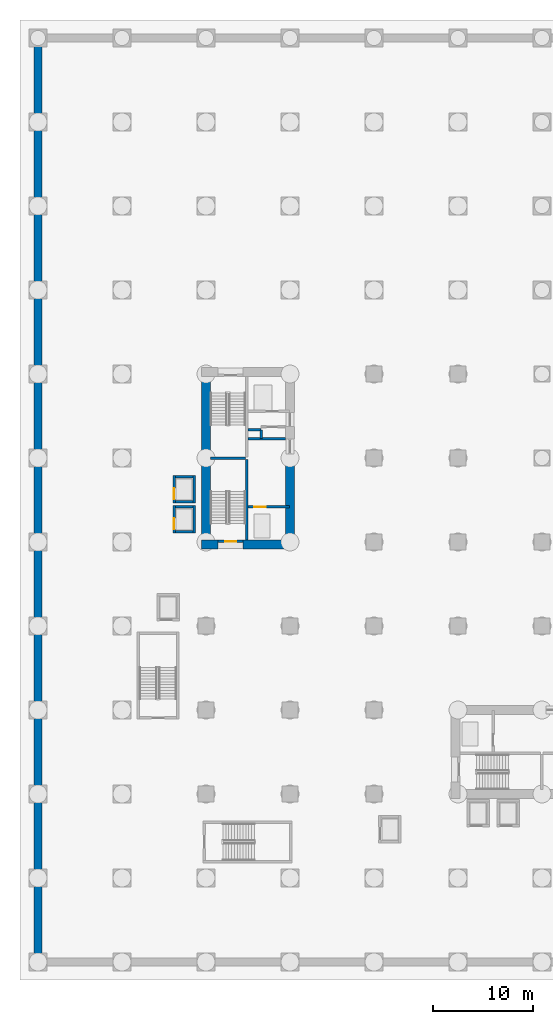
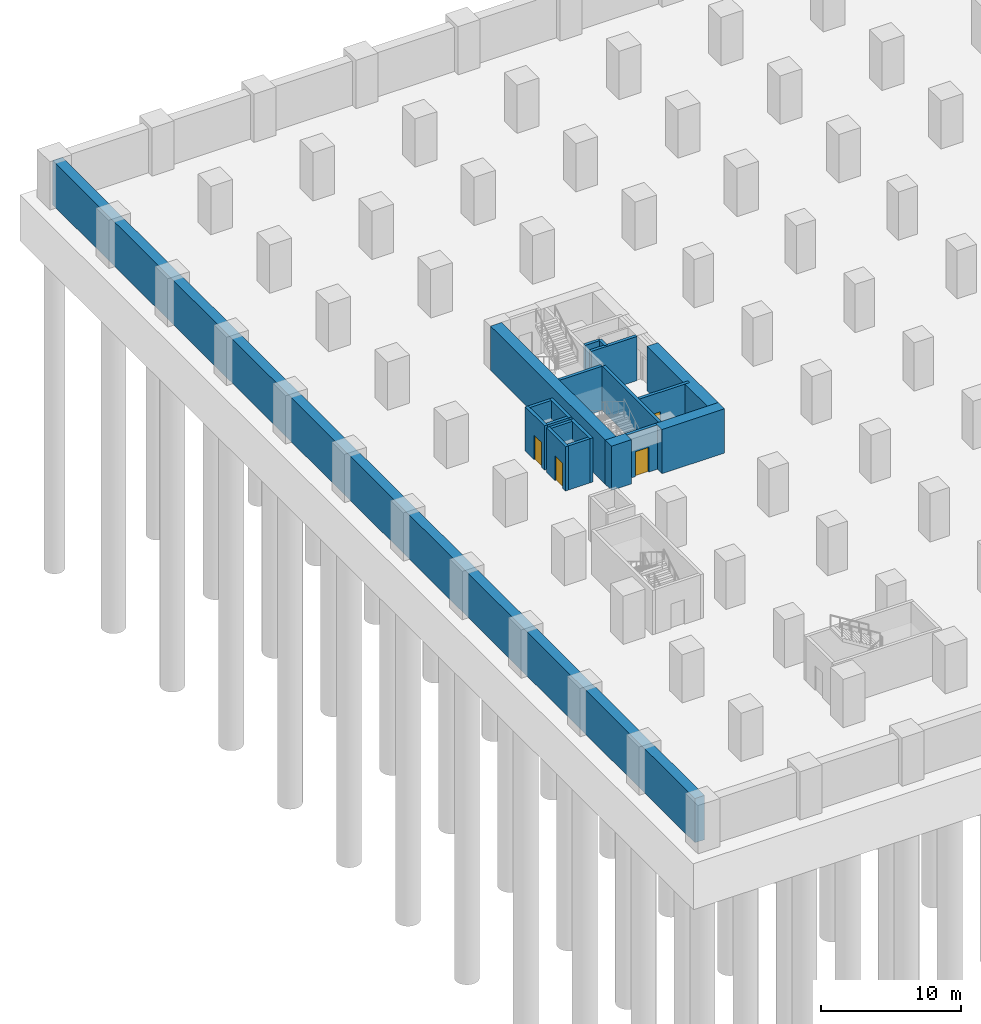
# One storey, part 6 of 12: 20 walls, 4 doors, 4 openings.
"""IFC4 building model written with IfcOpenShell, lengths in metres."""

import ifcopenshell
import ifcopenshell.guid

model = None  # the IFC model being written
_history = None  # IfcOwnerHistory: only IFC2X3 demands one
_inside = {}  # id of a spatial element -> (the spatial element, [elements in it])
_under = {}  # id of a project, library or spatial element -> (it, [spatial elements below it])
_declared = {}  # id of a project -> (the project, [libraries it declares])
_typed = {}  # id of a type object -> (the type object, [elements of that type])
_made_of = {}  # id of a material, layer set ... -> (it, [elements and type objects made of it])


def new_model(schema):
    """Start an empty IFC model of exactly this schema.

    Asked for "IFC4X3", IfcOpenShell would pick the latest addendum, in which some entities
    have other attributes; the version numbers below select the first issue.
    IFC2X3 requires an IfcOwnerHistory on every rooted entity: one is made here for all.
    """
    global model, _history
    if schema == "IFC4X3":
        model = ifcopenshell.file(schema_version=(4, 3, 0, 0))
    else:
        model = ifcopenshell.file(schema=schema)
    _inside.clear()
    _under.clear()
    _declared.clear()
    _typed.clear()
    _made_of.clear()
    _history = None
    if model.schema == "IFC2X3":
        org = make("IfcOrganization", Name="unknown")
        user = make(
            "IfcPersonAndOrganization",
            ThePerson=make("IfcPerson", FamilyName="unknown"),
            TheOrganization=org,
        )
        app = make(
            "IfcApplication",
            ApplicationDeveloper=org,
            Version="unknown",
            ApplicationFullName="unknown",
            ApplicationIdentifier="unknown",
        )
        _history = make(
            "IfcOwnerHistory",
            OwningUser=user,
            OwningApplication=app,
            ChangeAction="ADDED",
            CreationDate=0,
        )
    return model


def make(cls, **values):
    """One entity of the class cls with the attributes given. An attribute that is None is left unset."""
    return model.create_entity(
        cls, **{name: value for name, value in values.items() if value is not None}
    )


def rooted(cls, **values):
    """An entity with a GlobalId (a new one), such as an element, a storey or a relation."""
    return make(cls, GlobalId=ifcopenshell.guid.new(), OwnerHistory=_history, **values)


def si_unit(unit_type, name, prefix=None):
    """IfcSIUnit, for example si_unit("LENGTHUNIT", "METRE", prefix="MILLI")."""
    return make("IfcSIUnit", UnitType=unit_type, Prefix=prefix, Name=name)


def assignment(units):
    """IfcUnitAssignment: the units of a project."""
    return None if units is None else make("IfcUnitAssignment", Units=units)


def point(xyz):
    """IfcCartesianPoint."""
    return None if xyz is None else make("IfcCartesianPoint", Coordinates=xyz)


def direction(xyz):
    """IfcDirection."""
    return None if xyz is None else make("IfcDirection", DirectionRatios=xyz)


def frame(location, z_axis=None, x_axis=None):
    """IfcAxis2Placement3D, a coordinate frame: its origin and axes. An axis left out is left unset."""
    return make(
        "IfcAxis2Placement3D",
        Location=point(location),
        Axis=direction(z_axis),
        RefDirection=direction(x_axis),
    )


def frame_2d(location, x_axis=None):
    """IfcAxis2Placement2D, a coordinate frame in the plane: its origin and x axis."""
    return make(
        "IfcAxis2Placement2D", Location=point(location), RefDirection=direction(x_axis)
    )


def origin():
    """The frame at (0, 0, 0) with its axes left unset."""
    return frame((0.0, 0.0, 0.0))


def place(relative_to, where):
    """IfcLocalPlacement: puts the frame where relative to a parent placement (None: the world)."""
    return make(
        "IfcLocalPlacement", PlacementRelTo=relative_to, RelativePlacement=where
    )


def context(
    kind, dimensions, precision=None, world=None, true_north=None, identifier=None
):
    """IfcGeometricRepresentationContext, for example the 3D "Model" context."""
    return make(
        "IfcGeometricRepresentationContext",
        ContextIdentifier=identifier,
        ContextType=kind,
        CoordinateSpaceDimension=dimensions,
        Precision=precision,
        WorldCoordinateSystem=world,
        TrueNorth=true_north,
    )


def subcontext(parent, identifier, kind, view, scale=None):
    """IfcGeometricRepresentationSubContext, for example "Body" below "Model"."""
    return make(
        "IfcGeometricRepresentationSubContext",
        ContextIdentifier=identifier,
        ContextType=kind,
        ParentContext=parent,
        TargetScale=scale,
        TargetView=view,
    )


def project(units=None, contexts=None):
    """IfcProject with its units and contexts."""
    return rooted(
        "IfcProject",
        Name="project",
        RepresentationContexts=contexts,
        UnitsInContext=assignment(units),
    )


def spatial(cls, under=None, at=None, **own):
    """A site, building, storey or space (cls), placed at a placement, below another one or the project."""
    s = rooted(cls, ObjectPlacement=at, **own)
    if under is not None:
        _under.setdefault(under.id(), (under, []))[1].append(s)
    return s


def profile(cls, at=None, kind="AREA", **sizes):
    """A parametric profile (cls). Its sizes go by their IFC names, for example OverallWidth=200.0."""
    return make(cls, ProfileType=kind, Position=at, **sizes)


def rectangle(**sizes):
    """IfcRectangleProfileDef."""
    return profile("IfcRectangleProfileDef", **sizes)


def extrude(swept, where, along, depth):
    """IfcExtrudedAreaSolid: the profile swept, set in the frame where, extruded along a direction by depth."""
    return make(
        "IfcExtrudedAreaSolid",
        SweptArea=swept,
        Position=where,
        ExtrudedDirection=direction(along),
        Depth=depth,
    )


def shape(context_of_items, identifier, shape_type, items):
    """IfcShapeRepresentation: the items that make up one representation, for example the "Body"."""
    return make(
        "IfcShapeRepresentation",
        ContextOfItems=context_of_items,
        RepresentationIdentifier=identifier,
        RepresentationType=shape_type,
        Items=items,
    )


def material(Name=None, Category=None):
    """IfcMaterial."""
    return make("IfcMaterial", Name=Name, Category=Category)


def layer(
    of_material, thickness, ventilated=None, Name=None, Category=None, Priority=None
):
    """IfcMaterialLayer: one layer of a wall or slab, of a material (None: an air gap)."""
    return make(
        "IfcMaterialLayer",
        Material=of_material,
        LayerThickness=thickness,
        IsVentilated=ventilated,
        Name=Name,
        Category=Category,
        Priority=Priority,
    )


def layer_set(layers, Name=None):
    """IfcMaterialLayerSet."""
    return make("IfcMaterialLayerSet", MaterialLayers=layers, LayerSetName=Name)


def made_of(thing, what):
    """Note that an element or type object is made of a material, layer set ...; save() writes the relation."""
    if what is not None:
        _made_of.setdefault(what.id(), (what, []))[1].append(thing)
    return thing


def type_object(cls, material=None, **own):
    """A type object (cls), such as IfcWallType, which elements share."""
    return made_of(rooted(cls, **own), material)


def element(
    cls,
    number,
    at=None,
    inside=None,
    cuts=None,
    type_object=None,
    material=None,
    context=None,
    identifier="Body",
    shape_type=None,
    held_by="IfcProductDefinitionShape",
    body=None,
    shapes=None,
    **own,
):
    """One element of the class cls, such as IfcWall. Its Tag is "e" and its number.

    at: its placement. inside: the storey or other place that contains it. cuts: it is an
    opening in that element (IfcRelVoidsElement). A single representation is given by context,
    identifier, shape_type and body (its items); several are given by shapes. held_by: the class
    of the entity that holds the representations. save() writes the other relations.
    """
    e = rooted(cls, Tag="e%d" % number, ObjectPlacement=at, **own)
    if body is not None:
        shapes = [shape(context, identifier, shape_type, body)]
    if shapes is not None:
        e.Representation = make(held_by, Representations=shapes)
    if inside is not None:
        _inside.setdefault(inside.id(), (inside, []))[1].append(e)
    if cuts is not None:
        rooted(
            "IfcRelVoidsElement", RelatingBuildingElement=cuts, RelatedOpeningElement=e
        )
    if type_object is not None:
        _typed.setdefault(type_object.id(), (type_object, []))[1].append(e)
    return made_of(e, material)


def fill(opening, filler):
    """IfcRelFillsElement: the door or window that sits in an opening."""
    return rooted(
        "IfcRelFillsElement",
        RelatingOpeningElement=opening,
        RelatedBuildingElement=filler,
    )


def aggregate(whole, parts):
    """IfcRelAggregates: a whole, such as a stair, and the parts it consists of."""
    return rooted("IfcRelAggregates", RelatingObject=whole, RelatedObjects=parts)


def save(model, path):
    """Write the relations noted so far, then the file.

    IfcRelAggregates (storeys below a building ...), IfcRelContainedInSpatialStructure (elements
    in a storey), IfcRelDefinesByType, IfcRelAssociatesMaterial and IfcRelDeclares: one each for
    every whole, place, type object, material and project.
    """
    for whole, parts in _under.values():
        aggregate(whole, parts)
    for where, things in _inside.values():
        rooted(
            "IfcRelContainedInSpatialStructure",
            RelatedElements=things,
            RelatingStructure=where,
        )
    for kind, things in _typed.values():
        rooted("IfcRelDefinesByType", RelatedObjects=things, RelatingType=kind)
    for what, things in _made_of.values():
        rooted("IfcRelAssociatesMaterial", RelatedObjects=things, RelatingMaterial=what)
    for by, libraries in _declared.values():
        rooted("IfcRelDeclares", RelatingContext=by, RelatedDefinitions=libraries)
    model.write(path)


model = new_model("IFC4")

# Units and contexts
model_context = context("Model", 3, precision=1e-05, world=origin(), true_north=direction((0.0, 1.0)))
body_context = subcontext(model_context, "Body", "Model", "MODEL_VIEW")
ifc_project = project(units=[si_unit("LENGTHUNIT", "METRE"), si_unit("AREAUNIT", "SQUARE_METRE"), si_unit("VOLUMEUNIT", "CUBIC_METRE"), si_unit("PLANEANGLEUNIT", "RADIAN"), si_unit("MASSUNIT", "GRAM", prefix="KILO")], contexts=[model_context])

# Site, building, storey
site_placement = place(None, origin())
site = spatial("IfcSite", under=ifc_project, at=site_placement, CompositionType="ELEMENT")
building_placement = place(site_placement, origin())
building = spatial("IfcBuilding", under=site, at=building_placement, Name="Koriwani Terraces Tower", CompositionType="ELEMENT")
storey_placement = place(building_placement, frame((0.0, 0.0, -8.39990234375)))
storey = spatial("IfcBuildingStorey", under=building, at=storey_placement, Name="B02", CompositionType="ELEMENT", Elevation=-8.39990234375)

# Walls
ifc_material_1 = material(Name="Concrete C50/60", Category="concrete")
ifc_layer_1 = layer(ifc_material_1, 0.800048828125, Name="Concrete C50/60")
ifc_layer_set_1 = layer_set([ifc_layer_1], Name="Concrete C50/60")
wall_type_1 = type_object("IfcWallType", Name="WALL_BASEMENT_RET_800", PredefinedType="USERDEFINED", material=ifc_layer_set_1)
wall_1_placement = place(storey_placement, frame((0.0, 92.0, 0.0), z_axis=(0.0, 0.0, 1.0), x_axis=(0.0, -1.0, 0.0)))
element("IfcWall", 1, at=wall_1_placement, inside=storey, type_object=wall_type_1, Name="B02 Perimeter Retaining Wall (W)", ObjectType="RETAININGWALL", PredefinedType="USERDEFINED", context=body_context, shape_type="SweptSolid", body=[
    extrude(rectangle(XDim=91.60009765625, YDim=0.800048828125, at=frame_2d((45.800048828125, 0.0))), origin(), (0.0, 0.0, 1.0), 3.849853515625),
])
ifc_material_2 = material(Name="Concrete C60/75", Category="concrete")
ifc_layer_2 = layer(ifc_material_2, 0.89990234375, Name="Concrete C60/75")
ifc_layer_set_2 = layer_set([ifc_layer_2], Name="Concrete C60/75")
wall_type_2 = type_object("IfcWallType", Name="WALL_CORE_RC_900", PredefinedType="SHEAR", material=ifc_layer_set_2)
wall_2_placement = place(storey_placement, frame((16.35009765625, 41.75, 0.0), z_axis=(0.0, 0.0, 1.0), x_axis=(1.0, 0.0, 0.0)))
element("IfcWall", 2, at=wall_2_placement, inside=storey, type_object=wall_type_2, Name="B02 West Split Core Shear Wall S1", PredefinedType="SHEAR", context=body_context, shape_type="SweptSolid", body=[
    extrude(rectangle(XDim=1.64990234375, YDim=0.89990234375, at=frame_2d((0.824951171875, 0.0))), origin(), (0.0, 0.0, 1.0), 3.849853515625),
])
wall_3_placement = place(storey_placement, frame((20.5, 41.75, 0.0), z_axis=(0.0, 0.0, 1.0), x_axis=(1.0, 0.0, 0.0)))
element("IfcWall", 3, at=wall_3_placement, inside=storey, type_object=wall_type_2, Name="B02 West Split Core Shear Wall S2", PredefinedType="SHEAR", context=body_context, shape_type="SweptSolid", body=[
    extrude(rectangle(XDim=5.14990234375, YDim=0.89990234375, at=frame_2d((2.574951171875, 0.0))), origin(), (0.0, 0.0, 1.0), 3.849853515625),
])
wall_4_placement = place(storey_placement, frame((16.800048828125, 42.199951171875, 0.0), z_axis=(0.0, 0.0, 1.0), x_axis=(0.0, 1.0, 0.0)))
element("IfcWall", 4, at=wall_4_placement, inside=storey, type_object=wall_type_2, Name="B02 West Split Core Shear Wall W1", PredefinedType="SHEAR", context=body_context, shape_type="SweptSolid", body=[
    extrude(rectangle(XDim=16.35009765625, YDim=0.89990234375, at=frame_2d((8.175048828125, 0.0))), origin(), (0.0, 0.0, 1.0), 3.849853515625),
])
wall_5_placement = place(storey_placement, frame((25.199951171875, 42.199951171875, 0.0), z_axis=(0.0, 0.0, 1.0), x_axis=(0.0, 1.0, 0.0)))
element("IfcWall", 5, at=wall_5_placement, inside=storey, type_object=wall_type_2, Name="B02 West Split Core Shear Wall E1", PredefinedType="SHEAR", context=body_context, shape_type="SweptSolid", body=[
    extrude(rectangle(XDim=8.60009765625, YDim=0.89990234375, at=frame_2d((4.300048828125, 0.0))), origin(), (0.0, 0.0, 1.0), 3.849853515625),
])
ifc_material_3 = material(Name="Concrete C40/50", Category="concrete")
ifc_layer_3 = layer(ifc_material_3, 0.25, Name="Concrete C40/50")
ifc_layer_set_3 = layer_set([ifc_layer_3], Name="Concrete C40/50")
wall_type_3 = type_object("IfcWallType", Name="WALL_SHAFT_RATED_250", PredefinedType="SOLIDWALL", material=ifc_layer_set_3)
wall_6_placement = place(storey_placement, frame((20.875, 42.199951171875, 0.0), z_axis=(0.0, 0.0, 1.0), x_axis=(0.0, 1.0, 0.0)))
element("IfcWall", 6, at=wall_6_placement, inside=storey, type_object=wall_type_3, Name="B02 West Split Core Web Wall MID1", PredefinedType="SOLIDWALL", context=body_context, shape_type="SweptSolid", body=[
    extrude(rectangle(XDim=8.050048828125, YDim=0.25, at=frame_2d((4.02490234375, 0.0))), origin(), (0.0, 0.0, 1.0), 3.849853515625),
])
wall_7_placement = place(storey_placement, frame((17.25, 50.375, 0.0), z_axis=(0.0, 0.0, 1.0), x_axis=(1.0, 0.0, 0.0)))
element("IfcWall", 7, at=wall_7_placement, inside=storey, type_object=wall_type_3, Name="B02 West Split Core Stair Dividing Wall", PredefinedType="SOLIDWALL", context=body_context, shape_type="SweptSolid", body=[
    extrude(rectangle(XDim=3.5, YDim=0.25, at=frame_2d((1.75, 0.0))), origin(), (0.0, 0.0, 1.0), 3.849853515625),
])

# Wall, opening, door
wall_8_placement = place(storey_placement, frame((18.0, 42.074951171875, 0.0), z_axis=(0.0, 0.0, 1.0), x_axis=(1.0, 0.0, 0.0)))
wall_8 = element("IfcWall", 8, at=wall_8_placement, inside=storey, type_object=wall_type_3, Name="B02 Interior Wall WIN-CW-B02-STS", PredefinedType="SOLIDWALL", context=body_context, shape_type="SweptSolid", body=[
    extrude(rectangle(XDim=2.5, YDim=0.25, at=frame_2d((1.25, 0.0))), origin(), (0.0, 0.0, 1.0), 3.849853515625),
])
opening_1_placement = place(wall_8_placement, frame((0.699951171875, 0.0, 0.0)))
opening_1 = element("IfcOpeningElement", 9, at=opening_1_placement, cuts=wall_8, Name="Opening D-03", PredefinedType="OPENING", context=body_context, shape_type="SweptSolid", body=[
    extrude(rectangle(XDim=1.10009765625, YDim=2.14990234375, at=frame_2d((0.550048828125, 1.074951171875))), frame((0.0, 0.135009765625, 0.0), z_axis=(0.0, -1.0, 0.0), x_axis=(1.0, 0.0, 0.0)), (0.0, 0.0, 1.0), 0.27001953125),
])
ifc_material_4 = material(Name="Steel ASTM A572 Grade 50", Category="steel")
door_type_1 = type_object("IfcDoorType", Name="DOOR_STAIR_FIRE_1100X2150", OperationType="NOTDEFINED", PredefinedType="DOOR", material=ifc_material_4)
door_1_placement = place(opening_1_placement, origin())
door_1 = element("IfcDoor", 10, at=door_1_placement, inside=storey, type_object=door_type_1, Name="B02 Exit Stair ST-W1 Door", OperationType="SINGLE_SWING_RIGHT", OverallHeight=2.14990234375, OverallWidth=1.10009765625, PredefinedType="DOOR", context=body_context, shape_type="SweptSolid", body=[
    extrude(rectangle(XDim=1.10009765625, YDim=2.14990234375, at=frame_2d((0.550048828125, 1.074951171875))), frame((0.0, 0.02490234375, 0.0), z_axis=(0.0, -1.0, 0.0), x_axis=(1.0, 0.0, 0.0)), (0.0, 0.0, 1.0), 0.050048828125),
])
fill(opening_1, door_1)

wall_9_placement = place(storey_placement, frame((21.0, 45.5, 0.0), z_axis=(0.0, 0.0, 1.0), x_axis=(1.0, 0.0, 0.0)))
wall_9 = element("IfcWall", 11, at=wall_9_placement, inside=storey, type_object=wall_type_3, Name="B02 Interior Wall WIN-CW-B02-FE", PredefinedType="SOLIDWALL", context=body_context, shape_type="SweptSolid", body=[
    extrude(rectangle(XDim=4.14990234375, YDim=0.25, at=frame_2d((2.074951171875, 0.0))), origin(), (0.0, 0.0, 1.0), 3.849853515625),
])
opening_2_placement = place(wall_9_placement, frame((0.64990234375, 0.0, 0.0)))
opening_2 = element("IfcOpeningElement", 12, at=opening_2_placement, cuts=wall_9, Name="Opening LD-01", PredefinedType="OPENING", context=body_context, shape_type="SweptSolid", body=[
    extrude(rectangle(XDim=1.10009765625, YDim=2.14990234375, at=frame_2d((0.550048828125, 1.074951171875))), frame((0.0, 0.135009765625, 0.0), z_axis=(0.0, -1.0, 0.0), x_axis=(1.0, 0.0, 0.0)), (0.0, 0.0, 1.0), 0.27001953125),
])
door_type_2 = type_object("IfcDoorType", Name="DOOR_LIFT_LANDING_1100X2200", OperationType="NOTDEFINED", PredefinedType="DOOR", material=ifc_material_4)
door_2_placement = place(opening_2_placement, origin())
door_2 = element("IfcDoor", 13, at=door_2_placement, inside=storey, type_object=door_type_2, Name="B02 Firefighting Lift FE-01 Landing Door", OperationType="SLIDING_TO_LEFT", OverallHeight=2.14990234375, OverallWidth=1.10009765625, PredefinedType="DOOR", context=body_context, shape_type="SweptSolid", body=[
    extrude(rectangle(XDim=1.10009765625, YDim=2.14990234375, at=frame_2d((0.550048828125, 1.074951171875))), frame((0.0, 0.02490234375, 0.0), z_axis=(0.0, -1.0, 0.0), x_axis=(1.0, 0.0, 0.0)), (0.0, 0.0, 1.0), 0.050048828125),
])
fill(opening_2, door_2)

# Walls
wall_10_placement = place(storey_placement, frame((21.0, 52.340087890625, 0.0), z_axis=(0.0, 0.0, 1.0), x_axis=(1.0, 0.0, 0.0)))
element("IfcWall", 14, at=wall_10_placement, inside=storey, type_object=wall_type_3, Name="B02 Interior Wall WIN-CW-B02-FFN", PredefinedType="SOLIDWALL", context=body_context, shape_type="SweptSolid", body=[
    extrude(rectangle(XDim=3.75, YDim=0.25, at=frame_2d((1.875, 0.0))), origin(), (0.0, 0.0, 1.0), 3.849853515625),
])
wall_11_placement = place(storey_placement, frame((21.0, 53.199951171875, 0.0), z_axis=(0.0, 0.0, 1.0), x_axis=(1.0, 0.0, 0.0)))
element("IfcWall", 15, at=wall_11_placement, inside=storey, type_object=wall_type_3, Name="B02 Interior Wall WIN-CW-B02-RS1", PredefinedType="SOLIDWALL", context=body_context, shape_type="SweptSolid", body=[
    extrude(rectangle(XDim=1.300048828125, YDim=0.25, at=frame_2d((0.64990234375, 0.0))), origin(), (0.0, 0.0, 1.0), 3.849853515625),
])
wall_12_placement = place(storey_placement, frame((22.300048828125, 52.360107421875, 0.0), z_axis=(0.0, 0.0, 1.0), x_axis=(0.0, 1.0, 0.0)))
element("IfcWall", 16, at=wall_12_placement, inside=storey, type_object=wall_type_3, Name="B02 Interior Wall WIN-CW-B02-RS2", PredefinedType="SOLIDWALL", context=body_context, shape_type="SweptSolid", body=[
    extrude(rectangle(XDim=0.83984375, YDim=0.25, at=frame_2d((0.419921875, 0.0))), origin(), (0.0, 0.0, 1.0), 3.849853515625),
])

# Wall, opening, door
wall_13_placement = place(storey_placement, frame((13.60009765625, 42.875, 0.0), z_axis=(0.0, 0.0, 1.0), x_axis=(0.0, 1.0, 0.0)))
wall_13 = element("IfcWall", 17, at=wall_13_placement, inside=storey, type_object=wall_type_3, Name="B02 Interior Wall WIN-LF-PE-L1-B02-F", PredefinedType="SOLIDWALL", context=body_context, shape_type="SweptSolid", body=[
    extrude(rectangle(XDim=2.75, YDim=0.25, at=frame_2d((1.375, 0.0))), origin(), (0.0, 0.0, 1.0), 3.849853515625),
])
opening_3_placement = place(wall_13_placement, frame((0.39990234375, 0.0, 0.0)))
opening_3 = element("IfcOpeningElement", 18, at=opening_3_placement, cuts=wall_13, Name="Opening LD-01", PredefinedType="OPENING", context=body_context, shape_type="SweptSolid", body=[
    extrude(rectangle(XDim=1.10009765625, YDim=2.14990234375, at=frame_2d((0.550048828125, 1.074951171875))), frame((0.0, 0.135009765625, 0.0), z_axis=(0.0, -1.0, 0.0), x_axis=(1.0, 0.0, 0.0)), (0.0, 0.0, 1.0), 0.27001953125),
])
door_3_placement = place(opening_3_placement, origin())
door_3 = element("IfcDoor", 19, at=door_3_placement, inside=storey, type_object=door_type_2, Name="B02 Passenger Lift PE-L1 Landing Door", OperationType="SLIDING_TO_LEFT", OverallHeight=2.14990234375, OverallWidth=1.10009765625, PredefinedType="DOOR", context=body_context, shape_type="SweptSolid", body=[
    extrude(rectangle(XDim=1.10009765625, YDim=2.14990234375, at=frame_2d((0.550048828125, 1.074951171875))), frame((0.0, 0.02490234375, 0.0), z_axis=(0.0, -1.0, 0.0), x_axis=(1.0, 0.0, 0.0)), (0.0, 0.0, 1.0), 0.050048828125),
])
fill(opening_3, door_3)

# Walls
wall_14_placement = place(storey_placement, frame((15.60009765625, 42.875, 0.0), z_axis=(0.0, 0.0, 1.0), x_axis=(0.0, 1.0, 0.0)))
element("IfcWall", 20, at=wall_14_placement, inside=storey, type_object=wall_type_3, Name="B02 Interior Wall WIN-LF-PE-L1-B02-B", PredefinedType="SOLIDWALL", context=body_context, shape_type="SweptSolid", body=[
    extrude(rectangle(XDim=2.75, YDim=0.25, at=frame_2d((1.375, 0.0))), origin(), (0.0, 0.0, 1.0), 3.849853515625),
])
for number, where, z_axis, x_axis, name in (
    (21, (13.72509765625, 43.0, 0.0), (0.0, 0.0, 1.0), (1.0, 0.0, 0.0), "B02 Interior Wall WIN-LF-PE-L1-B02-S"),
    (22, (13.72509765625, 45.5, 0.0), (0.0, 0.0, 1.0), (1.0, 0.0, 0.0), "B02 Interior Wall WIN-LF-PE-L1-B02-N"),
):
    element("IfcWall", number, at=place(storey_placement, frame(where, z_axis=z_axis, x_axis=x_axis)), inside=storey, type_object=wall_type_3, Name=name, PredefinedType="SOLIDWALL", context=body_context, shape_type="SweptSolid", body=[
        extrude(rectangle(XDim=1.75, YDim=0.25, at=frame_2d((0.875, 0.0))), origin(), (0.0, 0.0, 1.0), 3.849853515625),
    ])

# Wall, opening, door
wall_15_placement = place(storey_placement, frame((13.60009765625, 45.875, 0.0), z_axis=(0.0, 0.0, 1.0), x_axis=(0.0, 1.0, 0.0)))
wall_15 = element("IfcWall", 23, at=wall_15_placement, inside=storey, type_object=wall_type_3, Name="B02 Interior Wall WIN-LF-PE-L2-B02-F", PredefinedType="SOLIDWALL", context=body_context, shape_type="SweptSolid", body=[
    extrude(rectangle(XDim=2.75, YDim=0.25, at=frame_2d((1.375, 0.0))), origin(), (0.0, 0.0, 1.0), 3.849853515625),
])
opening_4_placement = place(wall_15_placement, frame((0.39990234375, 0.0, 0.0)))
opening_4 = element("IfcOpeningElement", 24, at=opening_4_placement, cuts=wall_15, Name="Opening LD-01", PredefinedType="OPENING", context=body_context, shape_type="SweptSolid", body=[
    extrude(rectangle(XDim=1.10009765625, YDim=2.14990234375, at=frame_2d((0.550048828125, 1.074951171875))), frame((0.0, 0.135009765625, 0.0), z_axis=(0.0, -1.0, 0.0), x_axis=(1.0, 0.0, 0.0)), (0.0, 0.0, 1.0), 0.27001953125),
])
door_4_placement = place(opening_4_placement, origin())
door_4 = element("IfcDoor", 25, at=door_4_placement, inside=storey, type_object=door_type_2, Name="B02 Passenger Lift PE-L2 Landing Door", OperationType="SLIDING_TO_LEFT", OverallHeight=2.14990234375, OverallWidth=1.10009765625, PredefinedType="DOOR", context=body_context, shape_type="SweptSolid", body=[
    extrude(rectangle(XDim=1.10009765625, YDim=2.14990234375, at=frame_2d((0.550048828125, 1.074951171875))), frame((0.0, 0.02490234375, 0.0), z_axis=(0.0, -1.0, 0.0), x_axis=(1.0, 0.0, 0.0)), (0.0, 0.0, 1.0), 0.050048828125),
])
fill(opening_4, door_4)

# Walls
wall_16_placement = place(storey_placement, frame((15.60009765625, 45.875, 0.0), z_axis=(0.0, 0.0, 1.0), x_axis=(0.0, 1.0, 0.0)))
element("IfcWall", 26, at=wall_16_placement, inside=storey, type_object=wall_type_3, Name="B02 Interior Wall WIN-LF-PE-L2-B02-B", PredefinedType="SOLIDWALL", context=body_context, shape_type="SweptSolid", body=[
    extrude(rectangle(XDim=2.75, YDim=0.25, at=frame_2d((1.375, 0.0))), origin(), (0.0, 0.0, 1.0), 3.849853515625),
])
for number, where, z_axis, x_axis, name in (
    (27, (13.72509765625, 46.0, 0.0), (0.0, 0.0, 1.0), (1.0, 0.0, 0.0), "B02 Interior Wall WIN-LF-PE-L2-B02-S"),
    (28, (13.72509765625, 48.5, 0.0), (0.0, 0.0, 1.0), (1.0, 0.0, 0.0), "B02 Interior Wall WIN-LF-PE-L2-B02-N"),
):
    element("IfcWall", number, at=place(storey_placement, frame(where, z_axis=z_axis, x_axis=x_axis)), inside=storey, type_object=wall_type_3, Name=name, PredefinedType="SOLIDWALL", context=body_context, shape_type="SweptSolid", body=[
        extrude(rectangle(XDim=1.75, YDim=0.25, at=frame_2d((0.875, 0.0))), origin(), (0.0, 0.0, 1.0), 3.849853515625),
    ])

save(model, "model.ifc")
